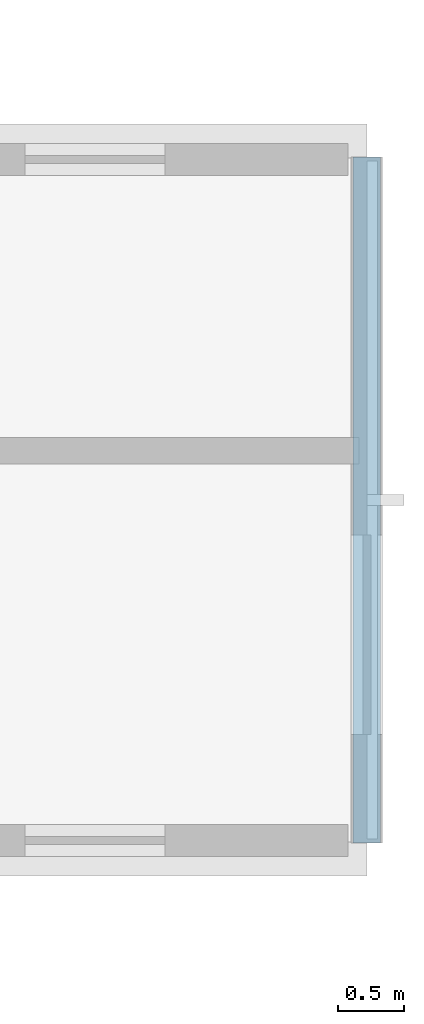
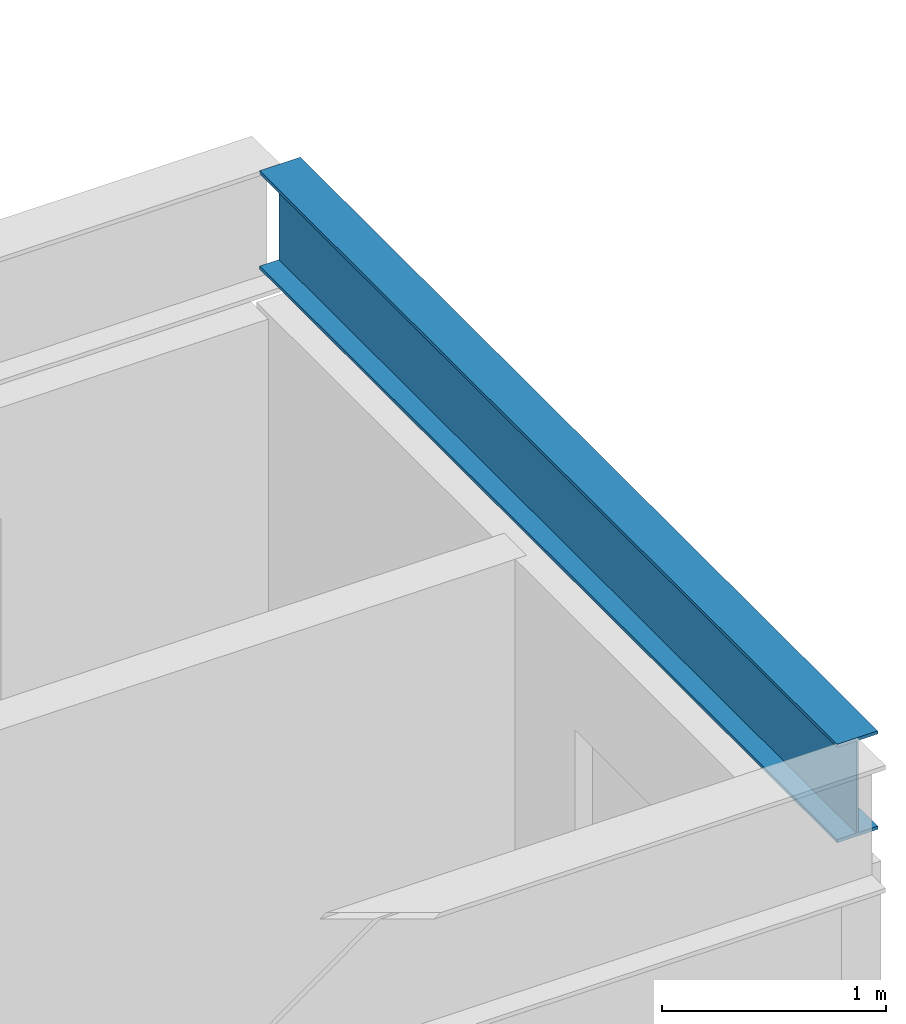
# One storey, part 12 of 30: 1 beam.
"""IFC4 building model written with IfcOpenShell, lengths in metres."""

from ifc_helpers import new_model, si_unit, direction, frame, origin, origin_2d, place, context, subcontext, project, spatial, i_section, extrude, material, material_profile, profile_set, type_object, element, save


model = new_model("IFC4")

# Units and contexts
model_context = context("Model", 3, precision=1e-05, world=origin(), true_north=direction((0.0, 1.0)))
body_context = subcontext(model_context, "Body", "Model", "MODEL_VIEW")
ifc_project = project(units=[si_unit("LENGTHUNIT", "METRE"), si_unit("AREAUNIT", "SQUARE_METRE"), si_unit("VOLUMEUNIT", "CUBIC_METRE"), si_unit("PLANEANGLEUNIT", "RADIAN"), si_unit("MASSUNIT", "GRAM", prefix="KILO")], contexts=[model_context])

# Site, building, storey
site_placement = place(None, origin())
site = spatial("IfcSite", under=ifc_project, at=site_placement, CompositionType="ELEMENT")
building_placement = place(site_placement, origin())
building = spatial("IfcBuilding", under=site, at=building_placement, Name="Surkhivell Harbour Commons", CompositionType="ELEMENT")
storey_placement = place(building_placement, frame((0.0, 0.0, 307.5)))
storey = spatial("IfcBuildingStorey", under=building, at=storey_placement, Name="L80", CompositionType="ELEMENT", Elevation=307.5)

# Beam
ifc_material = material(Name="Steel S355", Category="steel")
ifc_material_profile = material_profile(ifc_material, i_section(OverallWidth=0.2099609375, OverallDepth=0.537109375, WebThickness=0.0107421875, FlangeThickness=0.017333984375, at=origin_2d()), Name="UB533x210x101")
ifc_profile_set = profile_set([ifc_material_profile], Name="Steel S355")
beam_type = type_object("IfcBeamType", Name="BM-GRD-533B", PredefinedType="BEAM", material=ifc_profile_set)
beam_placement = place(storey_placement, frame((20.5, 0.1220703125, 3.301513671875), z_axis=(0.0, 1.0, 0.0), x_axis=(-1.0, 0.0, 0.0)))
element("IfcBeam", 1, at=beam_placement, inside=storey, type_object=beam_type, Name="L80 Box Rim Spandrel (20.5,0.0)", PredefinedType="BEAM", context=body_context, shape_type="SweptSolid", body=[
    extrude(i_section(OverallWidth=0.2099609375, OverallDepth=0.537109375, WebThickness=0.0107421875, FlangeThickness=0.017333984375, at=origin_2d()), origin(), (0.0, 0.0, 1.0), 5.156005859375),
])

save(model, "model.ifc")
